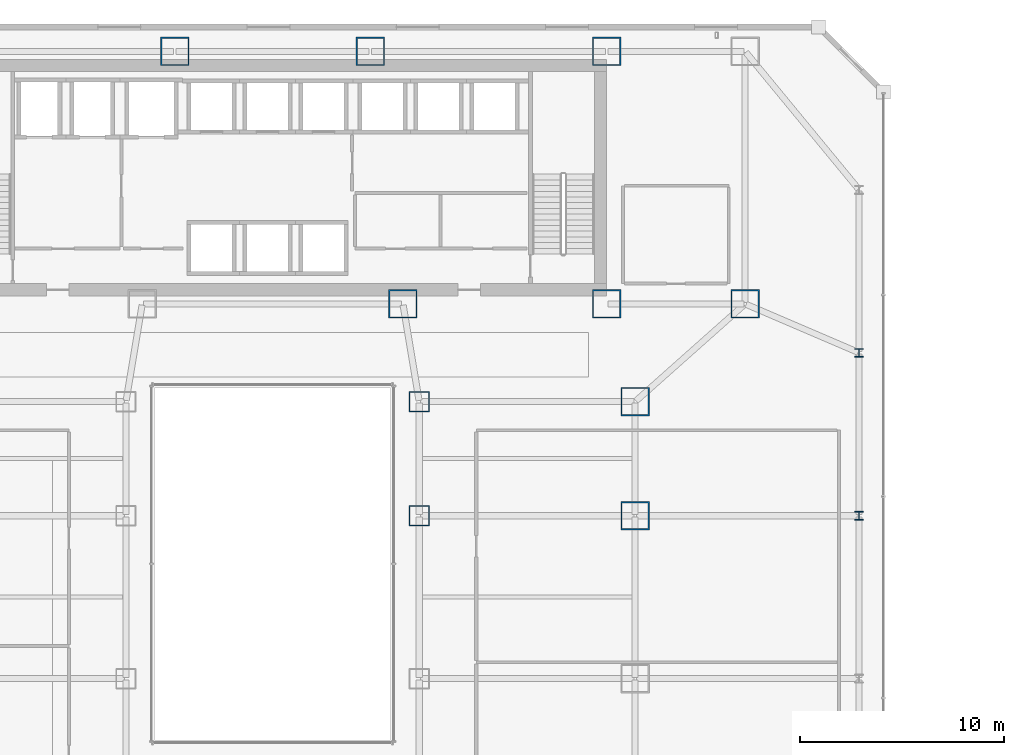
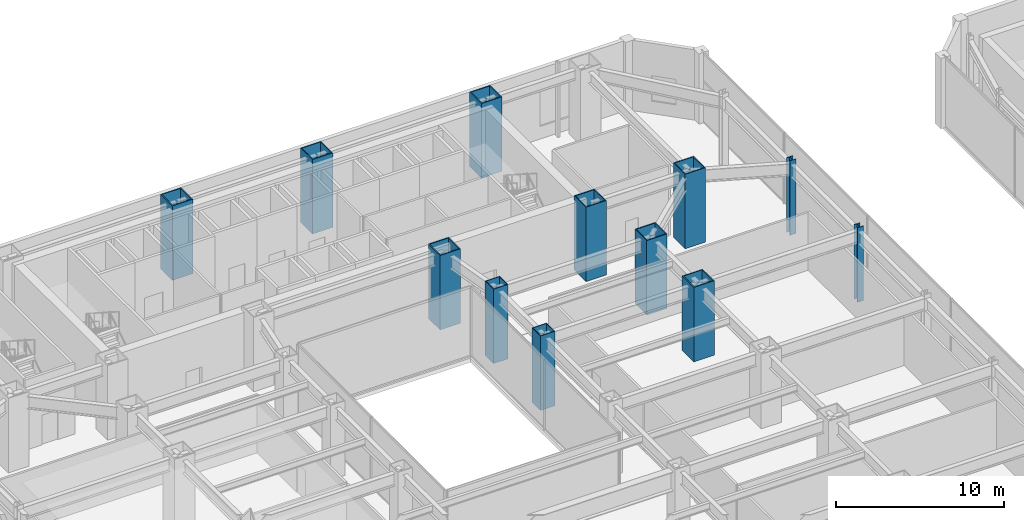
# One storey, part 4 of 52: 12 columns.
"""IFC4 building model written with IfcOpenShell, lengths in metres."""

from ifc_helpers import new_model, si_unit, direction, frame, origin, origin_2d, place, context, subcontext, project, spatial, hollow_rectangle, i_section, extrude, material, material_profile, profile_set, type_object, element, save


model = new_model("IFC4")

# Units and contexts
model_context = context("Model", 3, precision=1e-05, world=origin(), true_north=direction((0.0, 1.0)))
body_context = subcontext(model_context, "Body", "Model", "MODEL_VIEW")
ifc_project = project(units=[si_unit("LENGTHUNIT", "METRE"), si_unit("AREAUNIT", "SQUARE_METRE"), si_unit("VOLUMEUNIT", "CUBIC_METRE"), si_unit("PLANEANGLEUNIT", "RADIAN"), si_unit("MASSUNIT", "GRAM", prefix="KILO")], contexts=[model_context])

# Site, building, storey
site_placement = place(None, origin())
site = spatial("IfcSite", under=ifc_project, at=site_placement, CompositionType="ELEMENT")
building_placement = place(site_placement, origin())
building = spatial("IfcBuilding", under=site, at=building_placement, Name="Saevonmaru Cultural Tower", CompositionType="ELEMENT")
storey_placement = place(building_placement, frame((0.0, 0.0, 16.800048828125)))
storey = spatial("IfcBuildingStorey", under=building, at=storey_placement, Name="L03", CompositionType="ELEMENT", Elevation=16.800048828125)

# Columns
ifc_material_1 = material(Name="Steel SM420", Category="steel")
ifc_material_profile_1 = material_profile(ifc_material_1, hollow_rectangle(XDim=1.0, YDim=1.0, WallThickness=0.044921875, at=origin_2d()), Name="BOX-1000x1000x45")
ifc_profile_set_1 = profile_set([ifc_material_profile_1], Name="Steel SM420")
column_type_1 = type_object("IfcColumnType", Name="COL-BOX-1000", PredefinedType="COLUMN", material=ifc_profile_set_1)
for number, where, z_axis, x_axis, name in (
    (1, (37.199951171875, 32.0, 0.0), (0.0, 0.0, 1.0), (1.0, 0.0, 0.0), "L03 Column PC-E2-E"),
    (2, (37.199951171875, 37.60009765625, 0.0), (0.0, 0.0, 1.0), (1.0, 0.0, 0.0), "L03 Column PC-E2-F"),
):
    element("IfcColumn", number, at=place(storey_placement, frame(where, z_axis=z_axis, x_axis=x_axis)), inside=storey, type_object=column_type_1, Name=name, PredefinedType="COLUMN", context=body_context, shape_type="SweptSolid", body=[
        extrude(hollow_rectangle(XDim=1.0, YDim=1.0, WallThickness=0.044921875, at=origin_2d()), origin(), (0.0, 0.0, 1.0), 5.39990234375),
    ])
ifc_material_2 = material(Name="Steel HSA600 (600 MPa)", Category="steel")
ifc_material_profile_2 = material_profile(ifc_material_2, hollow_rectangle(XDim=1.39990234375, YDim=1.39990234375, WallThickness=0.06494140625, at=origin_2d()), Name="BOX-1400x1400x65")
ifc_profile_set_2 = profile_set([ifc_material_profile_2], Name="Steel HSA600 (600 MPa)")
column_type_2 = type_object("IfcColumnType", Name="COL-BOX-1400", PredefinedType="COLUMN", material=ifc_profile_set_2)
for number, where, z_axis, x_axis, name in (
    (3, (25.199951171875, 54.800048828125, 0.0), (0.0, 0.0, 1.0), (1.0, 0.0, 0.0), "L03 Column TC-N3N"),
    (4, (34.800048828125, 54.800048828125, 0.0), (0.0, 0.0, 1.0), (1.0, 0.0, 0.0), "L03 Column TC-N4N"),
    (5, (46.39990234375, 54.800048828125, 0.0), (0.0, 0.0, 1.0), (1.0, 0.0, 0.0), "L03 Column TC-N5N"),
    (6, (36.39990234375, 42.39990234375, 0.0), (0.0, 0.0, 1.0), (1.0, 0.0, 0.0), "L03 Column TC-S4C"),
    (7, (46.39990234375, 42.39990234375, 0.0), (0.0, 0.0, 1.0), (1.0, 0.0, 0.0), "L03 Column TC-S5C"),
    (8, (53.199951171875, 42.39990234375, 0.0), (0.0, 0.0, 1.0), (1.0, 0.0, 0.0), "L03 Column TC-S6C"),
    (9, (47.800048828125, 32.0, 0.0), (0.0, 0.0, 1.0), (1.0, 0.0, 0.0), "L03 Column PC-E1-E"),
    (10, (47.800048828125, 37.60009765625, 0.0), (0.0, 0.0, 1.0), (1.0, 0.0, 0.0), "L03 Column PC-E1-F"),
):
    element("IfcColumn", number, at=place(storey_placement, frame(where, z_axis=z_axis, x_axis=x_axis)), inside=storey, type_object=column_type_2, Name=name, PredefinedType="COLUMN", context=body_context, shape_type="SweptSolid", body=[
        extrude(hollow_rectangle(XDim=1.39990234375, YDim=1.39990234375, WallThickness=0.06494140625, at=origin_2d()), origin(), (0.0, 0.0, 1.0), 5.39990234375),
    ])
ifc_material_profile_3 = material_profile(ifc_material_1, i_section(OverallWidth=0.419921875, OverallDepth=0.419921875, WebThickness=0.02001953125, FlangeThickness=0.034912109375, FilletRadius=0.02197265625, at=origin_2d()), Name="H-428x407x20x35")
ifc_profile_set_3 = profile_set([ifc_material_profile_3], Name="Steel SM420")
column_type_3 = type_object("IfcColumnType", Name="COL-H-428", PredefinedType="COLUMN", material=ifc_profile_set_3)
for number, where, z_axis, x_axis, name in (
    (11, (58.800048828125, 32.0, 0.0), (0.0, 0.0, 1.0), (1.0, 0.0, 0.0), "L03 Column PC-PE-E"),
    (12, (58.800048828125, 40.0, 0.0), (0.0, 0.0, 1.0), (1.0, 0.0, 0.0), "L03 Column PC-PE-F"),
):
    element("IfcColumn", number, at=place(storey_placement, frame(where, z_axis=z_axis, x_axis=x_axis)), inside=storey, type_object=column_type_3, Name=name, PredefinedType="COLUMN", context=body_context, shape_type="SweptSolid", body=[
        extrude(i_section(OverallWidth=0.419921875, OverallDepth=0.419921875, WebThickness=0.02001953125, FlangeThickness=0.034912109375, FilletRadius=0.02197265625, at=origin_2d()), origin(), (0.0, 0.0, 1.0), 5.39990234375),
    ])

save(model, "model.ifc")
